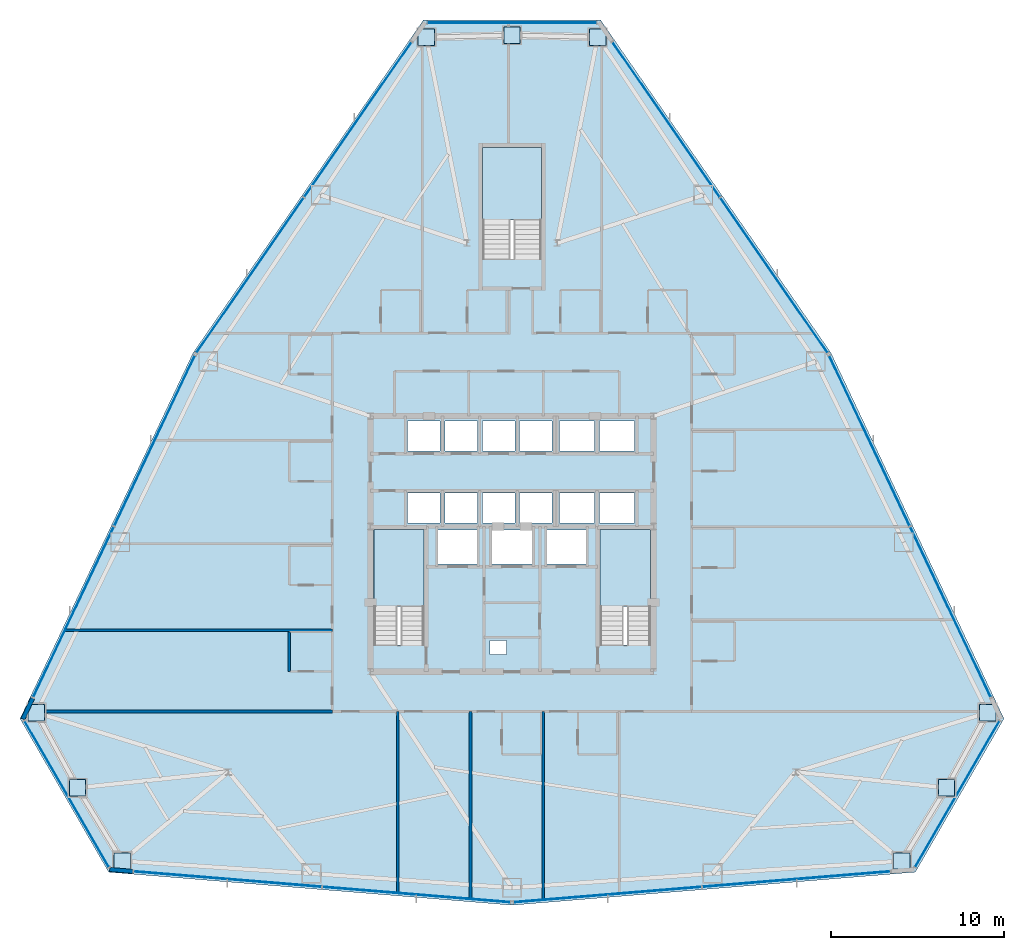
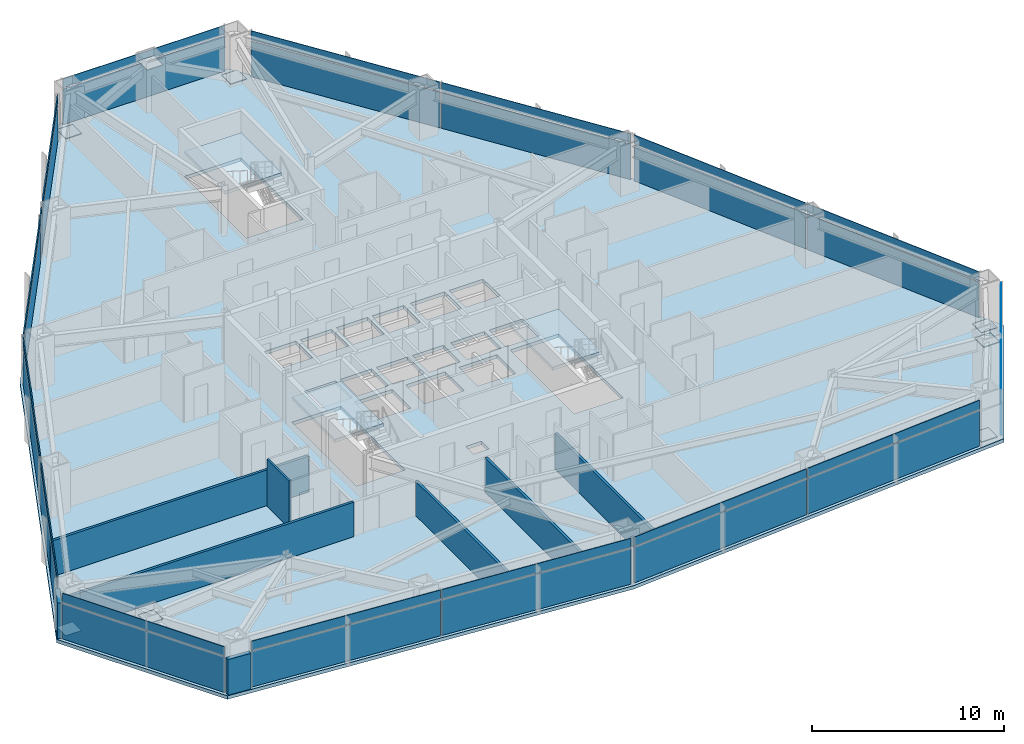
# One storey, part 8 of 13: 39 plates, 8 walls, 4 slabs, 12 elements without a shape of their own.
"""IFC4 building model written with IfcOpenShell, lengths in metres."""

from ifc_helpers import new_model, si_unit, direction, frame, frame_2d, origin, origin_2d, place, context, subcontext, project, spatial, polyline, rectangle, outline, extrude, source, transform, mapped, material, layer, layer_set, type_object, type_shapes, element, aggregate, save


model = new_model("IFC4")

# Units and contexts
model_context = context("Model", 3, precision=1e-05, world=origin(), true_north=direction((0.0, 1.0)))
body_context = subcontext(model_context, "Body", "Model", "MODEL_VIEW")
ifc_project = project(units=[si_unit("LENGTHUNIT", "METRE"), si_unit("AREAUNIT", "SQUARE_METRE"), si_unit("VOLUMEUNIT", "CUBIC_METRE"), si_unit("PLANEANGLEUNIT", "RADIAN"), si_unit("MASSUNIT", "GRAM", prefix="KILO")], contexts=[model_context])

# Site, building, storey
site_placement = place(None, origin())
site = spatial("IfcSite", under=ifc_project, at=site_placement, CompositionType="ELEMENT")
building_placement = place(site_placement, origin())
building = spatial("IfcBuilding", under=site, at=building_placement, Name="Varakhsha Concourse Tower", CompositionType="ELEMENT")
storey_placement = place(building_placement, frame((0.0, 0.0, 52.800048828125)))
storey = spatial("IfcBuildingStorey", under=building, at=storey_placement, Name="L14", CompositionType="ELEMENT", Elevation=52.800048828125)

# Slab
ifc_material_1 = material(Name="Concrete fc 45 MPa", Category="concrete")
ifc_layer_1 = layer(ifc_material_1, 0.219970703125, Name="SL-FLR-220")
ifc_layer_set_1 = layer_set([ifc_layer_1], Name="Concrete fc 45 MPa")
slab_type_1 = type_object("IfcSlabType", Name="SL-FLR-220", PredefinedType="FLOOR", material=ifc_layer_set_1)
slab_1_placement = place(storey_placement, frame((0.0, 0.0, -0.219970703125)))
element("IfcSlab", 1, at=slab_1_placement, inside=storey, type_object=slab_type_1, Name="L14 Composite Structural Slab", PredefinedType="FLOOR", context=body_context, shape_type="SweptSolid", body=[
    extrude(outline(polyline([(45.12841796875, 54.1171875), (34.87158203125, 54.1171875), (21.54248046875, 34.8564453125), (11.52685546875, 13.682861328125), (16.6552734375, 4.800048828125), (40.0, 2.88720703125), (63.3447265625, 4.800048828125), (68.47314453125, 13.682861328125), (58.45751953125, 34.8564453125), (45.12841796875, 54.1171875)]), holes=[polyline([(34.919921875, 17.93994140625), (34.919921875, 24.6298828125), (32.0, 24.6298828125), (32.0, 17.93994140625), (34.919921875, 17.93994140625)]), polyline([(48.02001953125, 17.93994140625), (48.02001953125, 24.6298828125), (45.10009765625, 24.6298828125), (45.10009765625, 17.93994140625), (48.02001953125, 17.93994140625)]), polyline([(41.699951171875, 40.300048828125), (41.699951171875, 46.75), (38.300048828125, 46.75), (38.300048828125, 40.300048828125), (41.699951171875, 40.300048828125)]), polyline([(33.9599609375, 29.159912109375), (35.840087890625, 29.159912109375), (35.840087890625, 30.89990234375), (33.9599609375, 30.89990234375), (33.9599609375, 29.159912109375)]), polyline([(36.1201171875, 29.159912109375), (38.0, 29.159912109375), (38.0, 30.89990234375), (36.1201171875, 30.89990234375), (36.1201171875, 29.159912109375)]), polyline([(38.280029296875, 29.159912109375), (40.159912109375, 29.159912109375), (40.159912109375, 30.89990234375), (38.280029296875, 30.89990234375), (38.280029296875, 29.159912109375)]), polyline([(40.43994140625, 29.159912109375), (42.320068359375, 29.159912109375), (42.320068359375, 30.89990234375), (40.43994140625, 30.89990234375), (40.43994140625, 29.159912109375)]), polyline([(33.9599609375, 25.0), (35.840087890625, 25.0), (35.840087890625, 26.739990234375), (33.9599609375, 26.739990234375), (33.9599609375, 25.0)]), polyline([(36.1201171875, 25.0), (38.0, 25.0), (38.0, 26.739990234375), (36.1201171875, 26.739990234375), (36.1201171875, 25.0)]), polyline([(38.280029296875, 25.0), (40.159912109375, 25.0), (40.159912109375, 26.739990234375), (38.280029296875, 26.739990234375), (38.280029296875, 25.0)]), polyline([(40.43994140625, 25.0), (42.320068359375, 25.0), (42.320068359375, 26.739990234375), (40.43994140625, 26.739990234375), (40.43994140625, 25.0)]), polyline([(42.739990234375, 29.159912109375), (44.780029296875, 29.159912109375), (44.780029296875, 30.89990234375), (42.739990234375, 30.89990234375), (42.739990234375, 29.159912109375)]), polyline([(45.06005859375, 29.159912109375), (47.10009765625, 29.159912109375), (47.10009765625, 30.89990234375), (45.06005859375, 30.89990234375), (45.06005859375, 29.159912109375)]), polyline([(42.739990234375, 25.0), (44.780029296875, 25.0), (44.780029296875, 26.739990234375), (42.739990234375, 26.739990234375), (42.739990234375, 25.0)]), polyline([(45.06005859375, 25.0), (47.10009765625, 25.0), (47.10009765625, 26.739990234375), (45.06005859375, 26.739990234375), (45.06005859375, 25.0)]), polyline([(35.7099609375, 22.639892578125), (37.989990234375, 22.639892578125), (37.989990234375, 24.60009765625), (35.7099609375, 24.60009765625), (35.7099609375, 22.639892578125)]), polyline([(42.010009765625, 22.639892578125), (44.2900390625, 22.639892578125), (44.2900390625, 24.60009765625), (42.010009765625, 24.60009765625), (42.010009765625, 22.639892578125)]), polyline([(38.81005859375, 22.639892578125), (41.18994140625, 22.639892578125), (41.18994140625, 24.60009765625), (38.81005859375, 24.60009765625), (38.81005859375, 22.639892578125)]), polyline([(38.719970703125, 17.39990234375), (39.679931640625, 17.39990234375), (39.679931640625, 18.199951171875), (38.719970703125, 18.199951171875), (38.719970703125, 17.39990234375)])]), origin(), (0.0, 0.0, 1.0), 0.219970703125),
])

# Stair, slab
stair_type_1 = type_object("IfcStairType", Name="ST-DOGLEG-1360", PredefinedType="HALF_TURN_STAIR", material=ifc_material_1)
stair_1_placement = place(storey_placement, origin())
stair_1 = element("IfcStair", 2, at=stair_1_placement, inside=storey, type_object=stair_type_1, Name="L14 Protected Exit Stair ST1", PredefinedType="HALF_TURN_STAIR")
ifc_layer_2 = layer(ifc_material_1, 0.199951171875, Name="SL-LAND-200")
ifc_layer_set_2 = layer_set([ifc_layer_2], Name="Concrete fc 45 MPa")
slab_type_2 = type_object("IfcSlabType", Name="SL-LAND-200", PredefinedType="LANDING", material=ifc_layer_set_2)
slab_2_placement = place(storey_placement, frame((0.0, 0.0, 1.39990234375)))
slab_2 = element("IfcSlab", 3, at=slab_2_placement, type_object=slab_type_2, Name="ST1 landing 1", PredefinedType="LANDING", context=body_context, shape_type="SweptSolid", body=[
    extrude(outline(polyline([(34.919921875, 20.179931640625), (34.919921875, 24.6298828125), (32.0, 24.6298828125), (32.0, 20.179931640625), (34.919921875, 20.179931640625)])), origin(), (0.0, 0.0, 1.0), 0.199951171875),
])
aggregate(stair_1, [slab_2])

stair_2_placement = place(storey_placement, origin())
stair_2 = element("IfcStair", 4, at=stair_2_placement, inside=storey, type_object=stair_type_1, Name="L14 Protected Exit Stair ST2", PredefinedType="HALF_TURN_STAIR")
slab_3_placement = place(storey_placement, frame((0.0, 0.0, 1.39990234375)))
slab_3 = element("IfcSlab", 5, at=slab_3_placement, type_object=slab_type_2, Name="ST2 landing 1", PredefinedType="LANDING", context=body_context, shape_type="SweptSolid", body=[
    extrude(outline(polyline([(48.02001953125, 20.179931640625), (48.02001953125, 24.6298828125), (45.10009765625, 24.6298828125), (45.10009765625, 20.179931640625), (48.02001953125, 20.179931640625)])), origin(), (0.0, 0.0, 1.0), 0.199951171875),
])
aggregate(stair_2, [slab_3])

stair_type_2 = type_object("IfcStairType", Name="ST-DOGLEG-1600", PredefinedType="HALF_TURN_STAIR", material=ifc_material_1)
stair_3_placement = place(storey_placement, origin())
stair_3 = element("IfcStair", 6, at=stair_3_placement, inside=storey, type_object=stair_type_2, Name="L14 Protected Exit Stair ST5", PredefinedType="HALF_TURN_STAIR")
slab_4_placement = place(storey_placement, frame((0.0, 0.0, 1.39990234375)))
slab_4 = element("IfcSlab", 7, at=slab_4_placement, type_object=slab_type_2, Name="ST5 landing 1", PredefinedType="LANDING", context=body_context, shape_type="SweptSolid", body=[
    extrude(outline(polyline([(41.699951171875, 42.5400390625), (41.699951171875, 46.75), (38.300048828125, 46.75), (38.300048828125, 42.5400390625), (41.699951171875, 42.5400390625)])), origin(), (0.0, 0.0, 1.0), 0.199951171875),
])
aggregate(stair_3, [slab_4])

# Plates
ifc_material_2 = material(Name="Structural Steel ASTM A572 Grade 50", Category="steel")
ifc_layer_3 = layer(ifc_material_2, 0.030029296875, Name="PL-ENDCAP-950")
ifc_layer_set_3 = layer_set([ifc_layer_3], Name="Structural Steel ASTM A572 Grade 50")
plate_type_1 = type_object("IfcPlateType", Name="PL-ENDCAP-950", PredefinedType="USERDEFINED", material=ifc_layer_set_3)
shared_shape_1 = source(origin(), body_context, "Body", "SweptSolid", [
    extrude(rectangle(XDim=0.949951171875, YDim=0.949951171875, at=origin_2d()), origin(), (0.0, 0.0, 1.0), 0.030029296875),
])
type_shapes(plate_type_1, [shared_shape_1])
for number, where, z_axis, x_axis, name in (
    (8, (44.95751953125, 53.11962890625, 0.10498046875), (0.0, 0.0, 1.0), (1.0, 0.0, 0.0), "Hollow Section End Cap GP-NODE-L14-0091"),
    (9, (40.0, 53.237060546875, 2.6650390625), (0.0, 0.0, 1.0), (1.0, 0.0, 0.0), "Hollow Section End Cap GP-NODE-L14-0092"),
    (10, (35.04248046875, 53.11962890625, 0.10498046875), (0.0, 0.0, 1.0), (1.0, 0.0, 0.0), "Hollow Section End Cap GP-NODE-L14-0093"),
    (11, (12.47607421875, 14.033447265625, 0.10498046875), (0.0, 0.0, 1.0), (1.0, 0.0, 0.0), "Hollow Section End Cap GP-NODE-L14-0094"),
    (12, (14.853271484375, 9.681396484375, 2.6650390625), (0.0, 0.0, 1.0), (1.0, 0.0, 0.0), "Hollow Section End Cap GP-NODE-L14-0095"),
    (13, (17.43359375, 5.44677734375, 0.10498046875), (0.0, 0.0, 1.0), (1.0, 0.0, 0.0), "Hollow Section End Cap GP-NODE-L14-0096"),
    (14, (62.56640625, 5.44677734375, 0.10498046875), (0.0, 0.0, 1.0), (1.0, 0.0, 0.0), "Hollow Section End Cap GP-NODE-L14-0097"),
    (15, (65.146728515625, 9.681396484375, 2.6650390625), (0.0, 0.0, 1.0), (1.0, 0.0, 0.0), "Hollow Section End Cap GP-NODE-L14-0098"),
    (16, (67.52392578125, 14.033447265625, 0.10498046875), (0.0, 0.0, 1.0), (1.0, 0.0, 0.0), "Hollow Section End Cap GP-NODE-L14-0099"),
):
    element("IfcPlate", number, at=place(storey_placement, frame(where, z_axis=z_axis, x_axis=x_axis)), inside=storey, type_object=plate_type_1, Name=name, ObjectType="END PLATE", PredefinedType="USERDEFINED", context=body_context, shape_type="MappedRepresentation", body=[
        mapped(shared_shape_1, transform((0.0, 0.0, 0.0), scale=1.0)),
    ])

# Curtain wall, plate
ifc_material_3 = material(Name="Anodised Bronze Architectural Aluminium AA 6063-T6", Category="aluminium")
ifc_layer_4 = layer(ifc_material_3, 0.219970703125, Name="CW-SYS-02")
ifc_layer_set_4 = layer_set([ifc_layer_4], Name="Anodised Bronze Architectural Aluminium AA 6063-T6")
curtain_wall_type = type_object("IfcCurtainWallType", Name="CW-SYS-02", PredefinedType="NOTDEFINED", material=ifc_layer_set_4)
curtain_wall_1_placement = place(storey_placement, origin())
curtain_wall_1 = element("IfcCurtainWall", 17, at=curtain_wall_1_placement, inside=storey, type_object=curtain_wall_type, Name="L14 Chamfer Curtain Wall F1", PredefinedType="NOTDEFINED")
ifc_material_4 = material(Name="Insulated Anodised Bronze Aluminium Spandrel 36 mm", Category="aluminium")
ifc_layer_5 = layer(ifc_material_4, 0.035888671875, Name="CWP-SPN-36")
ifc_layer_set_5 = layer_set([ifc_layer_5], Name="Insulated Anodised Bronze Aluminium Spandrel 36 mm")
plate_type_2 = type_object("IfcPlateType", Name="CWP-SPN-36", PredefinedType="USERDEFINED", material=ifc_layer_set_5)
shared_shape_2 = source(origin(), body_context, "Body", "SweptSolid", [
    extrude(rectangle(XDim=9.738037109375, YDim=0.035888671875, at=origin_2d()), origin(), (0.0, 0.0, 1.0), 2.260986328125),
])
type_shapes(plate_type_2, [shared_shape_2])
plate_1_placement = place(storey_placement, frame((40.0, 53.95703125, 0.03466796875), z_axis=(0.0, 0.0, 1.0), x_axis=(1.0, 0.0, 0.0)))
plate_1 = element("IfcPlate", 18, at=plate_1_placement, type_object=plate_type_2, Name="CW-L14-F1 Panel 00-00", ObjectType="SPANDREL", PredefinedType="USERDEFINED", context=body_context, shape_type="MappedRepresentation", body=[
    mapped(shared_shape_2, transform((0.0, 0.0, 0.0), scale=1.0)),
])

curtain_wall_2_placement = place(storey_placement, origin())
curtain_wall_2 = element("IfcCurtainWall", 19, at=curtain_wall_2_placement, inside=storey, type_object=curtain_wall_type, Name="L14 Chamfer Curtain Wall F4", PredefinedType="NOTDEFINED")
plate_2_placement = place(storey_placement, frame((14.2294921875, 9.3212890625, 0.03466796875), z_axis=(0.0, 0.0, 1.0), x_axis=(-0.49999395399, 0.866028894422, 0.0)))
plate_2 = element("IfcPlate", 20, at=plate_2_placement, type_object=plate_type_2, Name="CW-L14-F4 Panel 00-00", ObjectType="SPANDREL", PredefinedType="USERDEFINED", context=body_context, shape_type="MappedRepresentation", body=[
    mapped(shared_shape_2, transform((0.0, 0.0, 0.0), scale=1.0)),
])

curtain_wall_3_placement = place(storey_placement, origin())
curtain_wall_3 = element("IfcCurtainWall", 21, at=curtain_wall_3_placement, inside=storey, type_object=curtain_wall_type, Name="L14 Chamfer Curtain Wall F7", PredefinedType="NOTDEFINED")
plate_3_placement = place(storey_placement, frame((65.770263671875, 9.321533203125, 0.03466796875), z_axis=(0.0, 0.0, 1.0), x_axis=(-0.49999395399, -0.866028894422, 0.0)))
plate_3 = element("IfcPlate", 22, at=plate_3_placement, type_object=plate_type_2, Name="CW-L14-F7 Panel 00-00", ObjectType="SPANDREL", PredefinedType="USERDEFINED", context=body_context, shape_type="MappedRepresentation", body=[
    mapped(shared_shape_2, transform((0.0, 0.0, 0.0), scale=1.0)),
])

# Plate
ifc_material_5 = material(Name="Glazed Turquoise-Bronze Ceramic Spandrel Panel 38 mm", Category="ceramic")
ifc_layer_6 = layer(ifc_material_5, 0.0380859375, Name="CWP-SPN-38")
ifc_layer_set_6 = layer_set([ifc_layer_6], Name="Glazed Turquoise-Bronze Ceramic Spandrel Panel 38 mm")
plate_type_3 = type_object("IfcPlateType", Name="CWP-SPN-38", PredefinedType="USERDEFINED", material=ifc_layer_set_6)
shared_shape_3 = source(origin(), body_context, "Body", "SweptSolid", [
    extrude(rectangle(XDim=9.738037109375, YDim=0.0380859375, at=origin_2d()), origin(), (0.0, 0.0, 1.0), 0.5810546875),
])
plate_4_placement = place(storey_placement, frame((40.0, 53.95703125, 2.364501953125), z_axis=(0.0, 0.0, 1.0), x_axis=(1.0, 0.0, 0.0)))
plate_4 = element("IfcPlate", 23, at=plate_4_placement, type_object=plate_type_3, Name="CW-L14-F1 Panel 00-01", ObjectType="SPANDREL", PredefinedType="USERDEFINED", context=body_context, shape_type="MappedRepresentation", body=[
    mapped(shared_shape_3, transform((0.0, 0.0, 0.0), scale=1.0)),
])

aggregate(curtain_wall_1, [plate_1, plate_4])

plate_5_placement = place(storey_placement, frame((14.2294921875, 9.3212890625, 2.364501953125), z_axis=(0.0, 0.0, 1.0), x_axis=(-0.49999395399, 0.866028894422, 0.0)))
plate_5 = element("IfcPlate", 24, at=plate_5_placement, type_object=plate_type_3, Name="CW-L14-F4 Panel 00-01", ObjectType="SPANDREL", PredefinedType="USERDEFINED", context=body_context, shape_type="MappedRepresentation", body=[
    mapped(shared_shape_3, transform((0.0, 0.0, 0.0), scale=1.0)),
])

aggregate(curtain_wall_2, [plate_2, plate_5])

plate_6_placement = place(storey_placement, frame((65.770263671875, 9.321533203125, 2.364501953125), z_axis=(0.0, 0.0, 1.0), x_axis=(-0.49999395399, -0.866028894422, 0.0)))
plate_6 = element("IfcPlate", 25, at=plate_6_placement, type_object=plate_type_3, Name="CW-L14-F7 Panel 00-01", ObjectType="SPANDREL", PredefinedType="USERDEFINED", context=body_context, shape_type="MappedRepresentation", body=[
    mapped(shared_shape_3, transform((0.0, 0.0, 0.0), scale=1.0)),
])

aggregate(curtain_wall_3, [plate_3, plate_6])

# Curtain wall, plate
curtain_wall_4_placement = place(storey_placement, origin())
curtain_wall_4 = element("IfcCurtainWall", 26, at=curtain_wall_4_placement, inside=storey, type_object=curtain_wall_type, Name="L14 Crystal Curtain Wall F2", PredefinedType="NOTDEFINED")
ifc_material_6 = material(Name="Low-E Triple Insulating Glass IGU 44 mm", Category="glass")
ifc_layer_7 = layer(ifc_material_6, 0.0439453125, Name="CWP-IGU-44")
ifc_layer_set_7 = layer_set([ifc_layer_7], Name="Low-E Triple Insulating Glass IGU 44 mm")
plate_type_4 = type_object("IfcPlateType", Name="CWP-IGU-44", PredefinedType="CURTAIN_PANEL", material=ifc_layer_set_7)
shared_shape_4 = source(origin(), body_context, "Body", "SweptSolid", [
    extrude(rectangle(XDim=10.88232421875, YDim=0.0439453125, at=origin_2d()), origin(), (0.0, 0.0, 1.0), 2.260986328125),
])
plate_7_placement = place(storey_placement, frame((24.83837890625, 39.337890625, 0.03466796875), z_axis=(0.0, 0.0, 1.0), x_axis=(0.569057091236, 0.822298015877, 0.0)))
plate_7 = element("IfcPlate", 27, at=plate_7_placement, type_object=plate_type_4, Name="CW-L14-F2 Panel 00-00", PredefinedType="CURTAIN_PANEL", context=body_context, shape_type="MappedRepresentation", body=[
    mapped(shared_shape_4, transform((0.0, 0.0, 0.0), scale=1.0)),
])

# Curtain wall, plates
curtain_wall_5_placement = place(storey_placement, origin())
curtain_wall_5 = element("IfcCurtainWall", 28, at=curtain_wall_5_placement, inside=storey, type_object=curtain_wall_type, Name="L14 Crystal Curtain Wall F3", PredefinedType="NOTDEFINED")
plate_8_placement = place(storey_placement, frame((14.622314453125, 19.8525390625, 0.03466796875), z_axis=(0.0, 0.0, 1.0), x_axis=(0.427604003332, 0.903966158844, 0.0)))
plate_8 = element("IfcPlate", 29, at=plate_8_placement, type_object=plate_type_4, Name="CW-L14-F3 Panel 00-00", PredefinedType="CURTAIN_PANEL", context=body_context, shape_type="MappedRepresentation", body=[
    mapped(shared_shape_4, transform((0.0, 0.0, 0.0), scale=1.0)),
])
plate_9_placement = place(storey_placement, frame((19.309326171875, 29.76123046875, 0.03466796875), z_axis=(0.0, 0.0, 1.0), x_axis=(0.427604003332, 0.903966158844, 0.0)))
plate_9 = element("IfcPlate", 30, at=plate_9_placement, type_object=plate_type_4, Name="CW-L14-F3 Panel 01-00", PredefinedType="CURTAIN_PANEL", context=body_context, shape_type="MappedRepresentation", body=[
    mapped(shared_shape_4, transform((0.0, 0.0, 0.0), scale=1.0)),
])

# Curtain wall, plate
curtain_wall_6_placement = place(storey_placement, origin())
curtain_wall_6 = element("IfcCurtainWall", 31, at=curtain_wall_6_placement, inside=storey, type_object=curtain_wall_type, Name="L14 Crystal Curtain Wall F5", PredefinedType="NOTDEFINED")
plate_10_placement = place(storey_placement, frame((34.470947265625, 3.500732421875, 0.03466796875), z_axis=(0.0, 0.0, 1.0), x_axis=(-0.996659944452, 0.081663670777, 0.0)))
plate_10 = element("IfcPlate", 32, at=plate_10_placement, type_object=plate_type_4, Name="CW-L14-F5 Panel 00-00", PredefinedType="CURTAIN_PANEL", context=body_context, shape_type="MappedRepresentation", body=[
    mapped(shared_shape_4, transform((0.0, 0.0, 0.0), scale=1.0)),
])

curtain_wall_7_placement = place(storey_placement, origin())
curtain_wall_7 = element("IfcCurtainWall", 33, at=curtain_wall_7_placement, inside=storey, type_object=curtain_wall_type, Name="L14 Crystal Curtain Wall F6", PredefinedType="NOTDEFINED")
plate_11_placement = place(storey_placement, frame((56.4541015625, 4.39599609375, 0.03466796875), z_axis=(0.0, 0.0, 1.0), x_axis=(-0.996659944452, -0.081663670777, 0.0)))
plate_11 = element("IfcPlate", 34, at=plate_11_placement, type_object=plate_type_4, Name="CW-L14-F6 Panel 00-00", PredefinedType="CURTAIN_PANEL", context=body_context, shape_type="MappedRepresentation", body=[
    mapped(shared_shape_4, transform((0.0, 0.0, 0.0), scale=1.0)),
])

# Curtain wall, plates
curtain_wall_8_placement = place(storey_placement, origin())
curtain_wall_8 = element("IfcCurtainWall", 35, at=curtain_wall_8_placement, inside=storey, type_object=curtain_wall_type, Name="L14 Crystal Curtain Wall F8", PredefinedType="NOTDEFINED")
plate_12_placement = place(storey_placement, frame((60.690673828125, 29.76123046875, 0.03466796875), z_axis=(0.0, 0.0, 1.0), x_axis=(0.427604003332, -0.903966158844, 0.0)))
plate_12 = element("IfcPlate", 36, at=plate_12_placement, type_object=plate_type_4, Name="CW-L14-F8 Panel 00-00", PredefinedType="CURTAIN_PANEL", context=body_context, shape_type="MappedRepresentation", body=[
    mapped(shared_shape_4, transform((0.0, 0.0, 0.0), scale=1.0)),
])
plate_13_placement = place(storey_placement, frame((65.377685546875, 19.8525390625, 0.03466796875), z_axis=(0.0, 0.0, 1.0), x_axis=(0.427604003332, -0.903966158844, 0.0)))
plate_13 = element("IfcPlate", 37, at=plate_13_placement, type_object=plate_type_4, Name="CW-L14-F8 Panel 01-00", PredefinedType="CURTAIN_PANEL", context=body_context, shape_type="MappedRepresentation", body=[
    mapped(shared_shape_4, transform((0.0, 0.0, 0.0), scale=1.0)),
])

# Curtain wall, plate
curtain_wall_9_placement = place(storey_placement, origin())
curtain_wall_9 = element("IfcCurtainWall", 38, at=curtain_wall_9_placement, inside=storey, type_object=curtain_wall_type, Name="L14 Crystal Curtain Wall F9", PredefinedType="NOTDEFINED")
plate_14_placement = place(storey_placement, frame((48.923828125, 48.3515625, 0.03466796875), z_axis=(0.0, 0.0, 1.0), x_axis=(0.569057091236, -0.822298015877, 0.0)))
plate_14 = element("IfcPlate", 39, at=plate_14_placement, type_object=plate_type_4, Name="CW-L14-F9 Panel 00-00", PredefinedType="CURTAIN_PANEL", context=body_context, shape_type="MappedRepresentation", body=[
    mapped(shared_shape_4, transform((0.0, 0.0, 0.0), scale=1.0)),
])

# Plate
shared_shape_5 = source(origin(), body_context, "Body", "SweptSolid", [
    extrude(rectangle(XDim=10.88232421875, YDim=0.0380859375, at=origin_2d()), origin(), (0.0, 0.0, 1.0), 0.5810546875),
])
plate_15_placement = place(storey_placement, frame((24.83837890625, 39.337890625, 2.364501953125), z_axis=(0.0, 0.0, 1.0), x_axis=(0.569057091236, 0.822298015877, 0.0)))
plate_15 = element("IfcPlate", 40, at=plate_15_placement, type_object=plate_type_3, Name="CW-L14-F2 Panel 00-01", ObjectType="SPANDREL", PredefinedType="USERDEFINED", context=body_context, shape_type="MappedRepresentation", body=[
    mapped(shared_shape_5, transform((0.0, 0.0, 0.0), scale=1.0)),
])

plate_16_placement = place(storey_placement, frame((14.622314453125, 19.8525390625, 2.364501953125), z_axis=(0.0, 0.0, 1.0), x_axis=(0.427604003332, 0.903966158844, 0.0)))
plate_16 = element("IfcPlate", 41, at=plate_16_placement, type_object=plate_type_3, Name="CW-L14-F3 Panel 00-01", ObjectType="SPANDREL", PredefinedType="USERDEFINED", context=body_context, shape_type="MappedRepresentation", body=[
    mapped(shared_shape_5, transform((0.0, 0.0, 0.0), scale=1.0)),
])

plate_17_placement = place(storey_placement, frame((19.309326171875, 29.76123046875, 2.364501953125), z_axis=(0.0, 0.0, 1.0), x_axis=(0.427604003332, 0.903966158844, 0.0)))
plate_17 = element("IfcPlate", 42, at=plate_17_placement, type_object=plate_type_3, Name="CW-L14-F3 Panel 01-01", ObjectType="SPANDREL", PredefinedType="USERDEFINED", context=body_context, shape_type="MappedRepresentation", body=[
    mapped(shared_shape_5, transform((0.0, 0.0, 0.0), scale=1.0)),
])

aggregate(curtain_wall_5, [plate_8, plate_16, plate_9, plate_17])

plate_18_placement = place(storey_placement, frame((34.470947265625, 3.500732421875, 2.364501953125), z_axis=(0.0, 0.0, 1.0), x_axis=(-0.996659944452, 0.081663670777, 0.0)))
plate_18 = element("IfcPlate", 43, at=plate_18_placement, type_object=plate_type_3, Name="CW-L14-F5 Panel 00-01", ObjectType="SPANDREL", PredefinedType="USERDEFINED", context=body_context, shape_type="MappedRepresentation", body=[
    mapped(shared_shape_5, transform((0.0, 0.0, 0.0), scale=1.0)),
])

plate_19_placement = place(storey_placement, frame((56.4541015625, 4.39599609375, 2.364501953125), z_axis=(0.0, 0.0, 1.0), x_axis=(-0.996659944452, -0.081663670777, 0.0)))
plate_19 = element("IfcPlate", 44, at=plate_19_placement, type_object=plate_type_3, Name="CW-L14-F6 Panel 00-01", ObjectType="SPANDREL", PredefinedType="USERDEFINED", context=body_context, shape_type="MappedRepresentation", body=[
    mapped(shared_shape_5, transform((0.0, 0.0, 0.0), scale=1.0)),
])

plate_20_placement = place(storey_placement, frame((60.690673828125, 29.76123046875, 2.364501953125), z_axis=(0.0, 0.0, 1.0), x_axis=(0.427604003332, -0.903966158844, 0.0)))
plate_20 = element("IfcPlate", 45, at=plate_20_placement, type_object=plate_type_3, Name="CW-L14-F8 Panel 00-01", ObjectType="SPANDREL", PredefinedType="USERDEFINED", context=body_context, shape_type="MappedRepresentation", body=[
    mapped(shared_shape_5, transform((0.0, 0.0, 0.0), scale=1.0)),
])

plate_21_placement = place(storey_placement, frame((65.377685546875, 19.8525390625, 2.364501953125), z_axis=(0.0, 0.0, 1.0), x_axis=(0.427604003332, -0.903966158844, 0.0)))
plate_21 = element("IfcPlate", 46, at=plate_21_placement, type_object=plate_type_3, Name="CW-L14-F8 Panel 01-01", ObjectType="SPANDREL", PredefinedType="USERDEFINED", context=body_context, shape_type="MappedRepresentation", body=[
    mapped(shared_shape_5, transform((0.0, 0.0, 0.0), scale=1.0)),
])

aggregate(curtain_wall_8, [plate_12, plate_20, plate_13, plate_21])

plate_22_placement = place(storey_placement, frame((48.923828125, 48.3515625, 2.364501953125), z_axis=(0.0, 0.0, 1.0), x_axis=(0.569057091236, -0.822298015877, 0.0)))
plate_22 = element("IfcPlate", 47, at=plate_22_placement, type_object=plate_type_3, Name="CW-L14-F9 Panel 00-01", ObjectType="SPANDREL", PredefinedType="USERDEFINED", context=body_context, shape_type="MappedRepresentation", body=[
    mapped(shared_shape_5, transform((0.0, 0.0, 0.0), scale=1.0)),
])

shared_shape_6 = source(origin(), body_context, "Body", "SweptSolid", [
    extrude(rectangle(XDim=10.882568359375, YDim=0.0439453125, at=origin_2d()), origin(), (0.0, 0.0, 1.0), 2.260986328125),
])
type_shapes(plate_type_4, [shared_shape_4, shared_shape_6])
plate_23_placement = place(storey_placement, frame((31.076171875, 48.3515625, 0.03466796875), z_axis=(0.0, 0.0, 1.0), x_axis=(0.569057091236, 0.822298015877, 0.0)))
plate_23 = element("IfcPlate", 48, at=plate_23_placement, type_object=plate_type_4, Name="CW-L14-F2 Panel 01-00", PredefinedType="CURTAIN_PANEL", context=body_context, shape_type="MappedRepresentation", body=[
    mapped(shared_shape_6, transform((0.0, 0.0, 0.0), scale=1.0)),
])

plate_24_placement = place(storey_placement, frame((23.546142578125, 4.39599609375, 0.03466796875), z_axis=(0.0, 0.0, 1.0), x_axis=(-0.996659944452, 0.081663670777, 0.0)))
plate_24 = element("IfcPlate", 49, at=plate_24_placement, type_object=plate_type_4, Name="CW-L14-F5 Panel 01-00", PredefinedType="CURTAIN_PANEL", context=body_context, shape_type="MappedRepresentation", body=[
    mapped(shared_shape_6, transform((0.0, 0.0, 0.0), scale=1.0)),
])

plate_25_placement = place(storey_placement, frame((45.529296875, 3.500732421875, 0.03466796875), z_axis=(0.0, 0.0, 1.0), x_axis=(-0.996659944452, -0.081663670777, 0.0)))
plate_25 = element("IfcPlate", 50, at=plate_25_placement, type_object=plate_type_4, Name="CW-L14-F6 Panel 01-00", PredefinedType="CURTAIN_PANEL", context=body_context, shape_type="MappedRepresentation", body=[
    mapped(shared_shape_6, transform((0.0, 0.0, 0.0), scale=1.0)),
])

plate_26_placement = place(storey_placement, frame((55.16162109375, 39.337890625, 0.03466796875), z_axis=(0.0, 0.0, 1.0), x_axis=(0.569057091236, -0.822298015877, 0.0)))
plate_26 = element("IfcPlate", 51, at=plate_26_placement, type_object=plate_type_4, Name="CW-L14-F9 Panel 01-00", PredefinedType="CURTAIN_PANEL", context=body_context, shape_type="MappedRepresentation", body=[
    mapped(shared_shape_6, transform((0.0, 0.0, 0.0), scale=1.0)),
])

shared_shape_7 = source(origin(), body_context, "Body", "SweptSolid", [
    extrude(rectangle(XDim=10.882568359375, YDim=0.0380859375, at=origin_2d()), origin(), (0.0, 0.0, 1.0), 0.5810546875),
])
type_shapes(plate_type_3, [shared_shape_3, shared_shape_5, shared_shape_7])
plate_27_placement = place(storey_placement, frame((31.076171875, 48.3515625, 2.364501953125), z_axis=(0.0, 0.0, 1.0), x_axis=(0.569057091236, 0.822298015877, 0.0)))
plate_27 = element("IfcPlate", 52, at=plate_27_placement, type_object=plate_type_3, Name="CW-L14-F2 Panel 01-01", ObjectType="SPANDREL", PredefinedType="USERDEFINED", context=body_context, shape_type="MappedRepresentation", body=[
    mapped(shared_shape_7, transform((0.0, 0.0, 0.0), scale=1.0)),
])

aggregate(curtain_wall_4, [plate_7, plate_15, plate_23, plate_27])

plate_28_placement = place(storey_placement, frame((23.546142578125, 4.39599609375, 2.364501953125), z_axis=(0.0, 0.0, 1.0), x_axis=(-0.996659944452, 0.081663670777, 0.0)))
plate_28 = element("IfcPlate", 53, at=plate_28_placement, type_object=plate_type_3, Name="CW-L14-F5 Panel 01-01", ObjectType="SPANDREL", PredefinedType="USERDEFINED", context=body_context, shape_type="MappedRepresentation", body=[
    mapped(shared_shape_7, transform((0.0, 0.0, 0.0), scale=1.0)),
])

aggregate(curtain_wall_6, [plate_10, plate_18, plate_24, plate_28])

plate_29_placement = place(storey_placement, frame((45.529296875, 3.500732421875, 2.364501953125), z_axis=(0.0, 0.0, 1.0), x_axis=(-0.996659944452, -0.081663670777, 0.0)))
plate_29 = element("IfcPlate", 54, at=plate_29_placement, type_object=plate_type_3, Name="CW-L14-F6 Panel 01-01", ObjectType="SPANDREL", PredefinedType="USERDEFINED", context=body_context, shape_type="MappedRepresentation", body=[
    mapped(shared_shape_7, transform((0.0, 0.0, 0.0), scale=1.0)),
])

aggregate(curtain_wall_7, [plate_11, plate_19, plate_25, plate_29])

plate_30_placement = place(storey_placement, frame((55.16162109375, 39.337890625, 2.364501953125), z_axis=(0.0, 0.0, 1.0), x_axis=(0.569057091236, -0.822298015877, 0.0)))
plate_30 = element("IfcPlate", 55, at=plate_30_placement, type_object=plate_type_3, Name="CW-L14-F9 Panel 01-01", ObjectType="SPANDREL", PredefinedType="USERDEFINED", context=body_context, shape_type="MappedRepresentation", body=[
    mapped(shared_shape_7, transform((0.0, 0.0, 0.0), scale=1.0)),
])

aggregate(curtain_wall_9, [plate_14, plate_22, plate_26, plate_30])

# Walls
ifc_layer_8 = layer(ifc_material_1, 0.239990234375, Name="WL-EXT-CRN-240")
ifc_layer_set_8 = layer_set([ifc_layer_8], Name="Concrete fc 45 MPa")
wall_type_1 = type_object("IfcWallType", Name="WL-EXT-CRN-240", PredefinedType="SHEAR", material=ifc_layer_set_8)
wall_1_placement = place(storey_placement, frame((12.2626953125, 14.8642578125, 0.0), z_axis=(0.0, 0.0, 1.0), x_axis=(-0.427644283084, -0.903947104175, 0.0)))
element("IfcWall", 56, at=wall_1_placement, inside=storey, type_object=wall_type_1, Name="L14 Wind-Corner Shoulder Wall F3", PredefinedType="SHEAR", context=body_context, shape_type="SweptSolid", body=[
    extrude(rectangle(XDim=1.32958984375, YDim=0.239990234375, at=frame_2d((0.664794921875, 0.0))), origin(), (0.0, 0.0, 1.0), 2.262939453125),
])
wall_2_placement = place(storey_placement, frame((16.72119140625, 4.955078125, 0.0), z_axis=(0.0, 0.0, 1.0), x_axis=(0.996670011116, -0.081540719538, 0.0)))
element("IfcWall", 57, at=wall_2_placement, inside=storey, type_object=wall_type_1, Name="L14 Wind-Corner Shoulder Wall F5", PredefinedType="SHEAR", context=body_context, shape_type="SweptSolid", body=[
    extrude(rectangle(XDim=1.329345703125, YDim=0.239990234375, at=frame_2d((0.66455078125, 0.0))), origin(), (0.0, 0.0, 1.0), 2.262939453125),
])
ifc_material_7 = material(Name="Acoustic Gypsum Board Partition Assembly", Category="gypsum")
ifc_layer_9 = layer(ifc_material_7, 0.1201171875, Name="WL-PART-120")
ifc_layer_set_9 = layer_set([ifc_layer_9], Name="Acoustic Gypsum Board Partition Assembly")
wall_type_2 = type_object("IfcWallType", Name="WL-PART-120", PredefinedType="PARTITIONING", material=ifc_layer_set_9)
wall_3_placement = place(storey_placement, frame((27.110107421875, 16.409912109375, 0.0), z_axis=(0.0, 0.0, 1.0), x_axis=(0.0, 1.0, 0.0)))
element("IfcWall", 58, at=wall_3_placement, inside=storey, type_object=wall_type_2, Name="L14 Wall ENSW-W-L14-H06", PredefinedType="PARTITIONING", context=body_context, shape_type="SweptSolid", body=[
    extrude(rectangle(XDim=2.280029296875, YDim=0.1201171875, at=frame_2d((1.14013671875, 0.0))), origin(), (0.0, 0.0, 1.0), 2.97998046875),
])
ifc_material_8 = material(Name="Fire-Rated Type X Gypsum Partition Assembly", Category="gypsum")
ifc_layer_10 = layer(ifc_material_8, 0.14990234375, Name="WL-PART-150")
ifc_layer_set_10 = layer_set([ifc_layer_10], Name="Fire-Rated Type X Gypsum Partition Assembly")
wall_type_3 = type_object("IfcWallType", Name="WL-PART-150", PredefinedType="PARTITIONING", material=ifc_layer_set_10)
wall_4_placement = place(storey_placement, frame((33.39990234375, 3.593505859375, 0.0), z_axis=(0.0, 0.0, 1.0), x_axis=(0.0, 1.0, 0.0)))
element("IfcWall", 59, at=wall_4_placement, inside=storey, type_object=wall_type_3, Name="L14 Wall HDIV-S1-L14", PredefinedType="PARTITIONING", context=body_context, shape_type="SweptSolid", body=[
    extrude(rectangle(XDim=10.506591796875, YDim=0.14990234375, at=frame_2d((5.25341796875, 0.0))), origin(), (0.0, 0.0, 1.0), 2.19091796875),
])
wall_5_placement = place(storey_placement, frame((37.60009765625, 3.24951171875, 0.0), z_axis=(0.0, 0.0, 1.0), x_axis=(0.0, 1.0, 0.0)))
element("IfcWall", 60, at=wall_5_placement, inside=storey, type_object=wall_type_3, Name="L14 Wall HDIV-S2-L14", PredefinedType="PARTITIONING", context=body_context, shape_type="SweptSolid", body=[
    extrude(rectangle(XDim=10.8505859375, YDim=0.14990234375, at=frame_2d((5.42529296875, 0.0))), origin(), (0.0, 0.0, 1.0), 2.19091796875),
])
wall_6_placement = place(storey_placement, frame((41.800048828125, 3.2001953125, 0.0), z_axis=(0.0, 0.0, 1.0), x_axis=(0.0, 1.0, 0.0)))
element("IfcWall", 61, at=wall_6_placement, inside=storey, type_object=wall_type_3, Name="L14 Wall HDIV-S3-L14", PredefinedType="PARTITIONING", context=body_context, shape_type="SweptSolid", body=[
    extrude(rectangle(XDim=10.89990234375, YDim=0.14990234375, at=frame_2d((5.449951171875, 0.0))), origin(), (0.0, 0.0, 1.0), 2.26806640625),
])
wall_7_placement = place(storey_placement, frame((11.906494140625, 14.10009765625, 0.0), z_axis=(0.0, 0.0, 1.0), x_axis=(1.0, 0.0, 0.0)))
element("IfcWall", 62, at=wall_7_placement, inside=storey, type_object=wall_type_3, Name="L14 Wall HDIV-WB0-L14", PredefinedType="PARTITIONING", context=body_context, shape_type="SweptSolid", body=[
    extrude(rectangle(XDim=17.693603515625, YDim=0.14990234375, at=frame_2d((8.8466796875, 0.0))), origin(), (0.0, 0.0, 1.0), 2.19091796875),
])
wall_8_placement = place(storey_placement, frame((14.1298828125, 18.800048828125, 0.0), z_axis=(0.0, 0.0, 1.0), x_axis=(1.0, 0.0, 0.0)))
element("IfcWall", 63, at=wall_8_placement, inside=storey, type_object=wall_type_3, Name="L14 Wall HDIV-W1-L14", PredefinedType="PARTITIONING", context=body_context, shape_type="SweptSolid", body=[
    extrude(rectangle(XDim=15.47021484375, YDim=0.14990234375, at=frame_2d((7.735107421875, 0.0))), origin(), (0.0, 0.0, 1.0), 2.26806640625),
])

save(model, "model.ifc")
